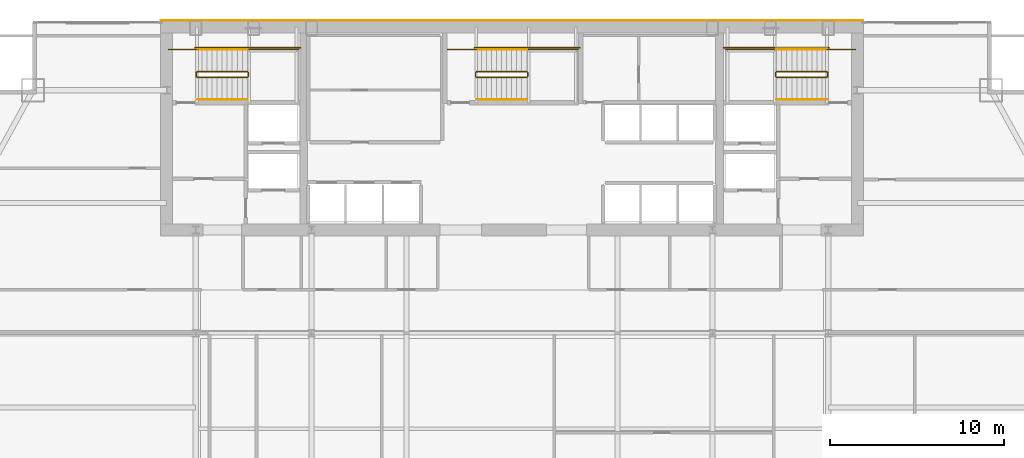
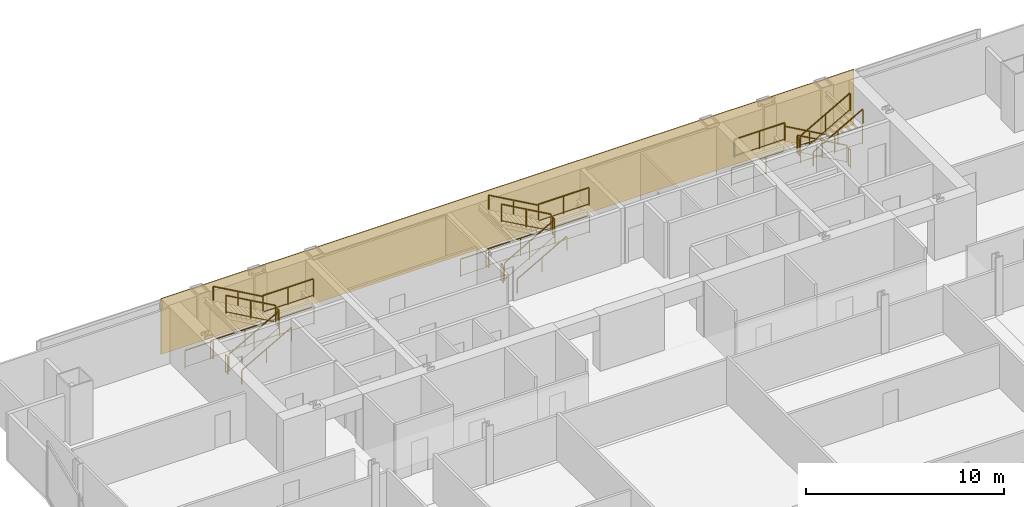
# One storey, part 29 of 29: 27 railings, 1 covering.
"""IFC4 building model written with IfcOpenShell, lengths in metres."""

from ifc_helpers import new_model, si_unit, direction, frame, origin, origin_2d, place, context, subcontext, project, spatial, polyline, rectangle, outline, extrude, material, layer, layer_set, type_object, element, save


model = new_model("IFC4")

# Units and contexts
model_context = context("Model", 3, precision=1e-05, world=origin(), true_north=direction((0.0, 1.0)))
body_context = subcontext(model_context, "Body", "Model", "MODEL_VIEW")
ifc_project = project(units=[si_unit("LENGTHUNIT", "METRE"), si_unit("AREAUNIT", "SQUARE_METRE"), si_unit("VOLUMEUNIT", "CUBIC_METRE"), si_unit("PLANEANGLEUNIT", "RADIAN"), si_unit("MASSUNIT", "GRAM", prefix="KILO")], contexts=[model_context])

# Site, building, storey
site_placement = place(None, origin())
site = spatial("IfcSite", under=ifc_project, at=site_placement, CompositionType="ELEMENT")
building_placement = place(site_placement, origin())
building = spatial("IfcBuilding", under=site, at=building_placement, Name="Khoronbel Lancet Exchange", CompositionType="ELEMENT")
storey_placement = place(building_placement, frame((0.0, 0.0, 154.199951171875)))
storey = spatial("IfcBuildingStorey", under=building, at=storey_placement, Name="L38", CompositionType="ELEMENT", Elevation=154.199951171875)

# Covering
ifc_material_1 = material(Name="Honed Egyptian Limestone & Bronze Rainscreen", Category="masonry")
ifc_layer = layer(ifc_material_1, 0.050048828125, Name="Honed Egyptian Limestone & Bronze Rainscreen")
ifc_layer_set = layer_set([ifc_layer], Name="Honed Egyptian Limestone & Bronze Rainscreen")
covering_type = type_object("IfcCoveringType", Name="COV-CLAD1", PredefinedType="CLADDING", material=ifc_layer_set)
covering_placement = place(storey_placement, origin())
element("IfcCovering", 1, at=covering_placement, inside=storey, type_object=covering_type, Name="Level L38 north rear-core stone and bronze rainscreen cladding", PredefinedType="CLADDING", context=body_context, shape_type="SweptSolid", body=[
    extrude(outline(polyline([(16.199951171875, 53.699951171875), (56.699951171875, 53.699951171875), (56.699951171875, 53.75), (16.199951171875, 53.75), (16.199951171875, 53.699951171875)])), origin(), (0.0, 0.0, 1.0), 3.43994140625),
])

# Railings
ifc_material_2 = material(Name="Painted Steel Balustrade", Category="steel")
railing_type_1 = type_object("IfcRailingType", Name="RL-STG110", PredefinedType="GUARDRAIL", material=ifc_material_2)
railing_1_placement = place(storey_placement, frame((18.300048828125, 50.449951171875, 0.16357421875)))
element("IfcRailing", 2, at=railing_1_placement, inside=storey, type_object=railing_type_1, Name="L38 ST1 stair guard 1", PredefinedType="GUARDRAIL", context=body_context, shape_type="SweptSolid", body=[
    extrude(rectangle(XDim=0.048095703125, YDim=0.048095703125, at=origin_2d()), frame((0.0, 0.0, 1.09619140625), z_axis=(0.870897200241, 0.0, 0.491465224214), x_axis=(0.0, 1.0, 0.0)), (0.0, 0.0, 1.0), 3.329833984375),
    extrude(rectangle(XDim=0.02392578125, YDim=0.02392578125, at=origin_2d()), frame((0.0, 0.0, 0.080078125), z_axis=(0.870897200241, 0.0, 0.491465224214), x_axis=(0.0, 1.0, 0.0)), (0.0, 0.0, 1.0), 3.329833984375),
    extrude(rectangle(XDim=0.0419921875, YDim=0.0419921875, at=origin_2d()), origin(), (0.0, 0.0, 1.0), 1.072021484375),
    extrude(rectangle(XDim=0.0419921875, YDim=0.0419921875, at=origin_2d()), frame((1.449951171875, 0.0, 0.818359375)), (0.0, 0.0, 1.0), 1.072021484375),
    extrude(rectangle(XDim=0.0419921875, YDim=0.0419921875, at=origin_2d()), frame((2.89990234375, 0.0, 1.636474609375)), (0.0, 0.0, 1.0), 1.072021484375),
])
railing_2_placement = place(storey_placement, frame((21.25, 50.5, 1.800048828125)))
element("IfcRailing", 3, at=railing_2_placement, inside=storey, type_object=railing_type_1, Name="L38 ST1 stair guard 2", PredefinedType="GUARDRAIL", context=body_context, shape_type="SweptSolid", body=[
    extrude(rectangle(XDim=0.048095703125, YDim=0.048095703125, at=origin_2d()), frame((0.0, 0.0, 1.09619140625), z_axis=(0.0, 1.0, 0.0), x_axis=(-1.0, 0.0, 0.0)), (0.0, 0.0, 1.0), 0.219970703125),
    extrude(rectangle(XDim=0.02392578125, YDim=0.02392578125, at=origin_2d()), frame((0.0, 0.0, 0.080078125), z_axis=(0.0, 1.0, 0.0), x_axis=(-1.0, 0.0, 0.0)), (0.0, 0.0, 1.0), 0.219970703125),
    extrude(rectangle(XDim=0.0419921875, YDim=0.0419921875, at=origin_2d()), origin(), (0.0, 0.0, 1.0), 1.072021484375),
    extrude(rectangle(XDim=0.0419921875, YDim=0.0419921875, at=origin_2d()), frame((0.0, 0.219970703125, 0.0)), (0.0, 0.0, 1.0), 1.072021484375),
])
railing_3_placement = place(storey_placement, frame((21.199951171875, 52.050048828125, 1.800048828125)))
element("IfcRailing", 4, at=railing_3_placement, inside=storey, type_object=railing_type_1, Name="L38 ST1 stair guard 3", PredefinedType="GUARDRAIL", context=body_context, shape_type="SweptSolid", body=[
    extrude(rectangle(XDim=0.048095703125, YDim=0.048095703125, at=origin_2d()), frame((0.0, 0.0, 1.09619140625), z_axis=(1.0, 0.0, 0.0), x_axis=(0.0, 1.0, 0.0)), (0.0, 0.0, 1.0), 2.949951171875),
    extrude(rectangle(XDim=0.02392578125, YDim=0.02392578125, at=origin_2d()), frame((0.0, 0.0, 0.080078125), z_axis=(1.0, 0.0, 0.0), x_axis=(0.0, 1.0, 0.0)), (0.0, 0.0, 1.0), 2.949951171875),
    extrude(rectangle(XDim=0.0419921875, YDim=0.0419921875, at=origin_2d()), origin(), (0.0, 0.0, 1.0), 1.072021484375),
    extrude(rectangle(XDim=0.0419921875, YDim=0.0419921875, at=origin_2d()), frame((1.47509765625, 0.0, 0.0)), (0.0, 0.0, 1.0), 1.072021484375),
    extrude(rectangle(XDim=0.0419921875, YDim=0.0419921875, at=origin_2d()), frame((2.949951171875, 0.0, 0.0)), (0.0, 0.0, 1.0), 1.072021484375),
])
railing_4_placement = place(storey_placement, frame((21.199951171875, 50.77001953125, 1.963623046875)))
element("IfcRailing", 5, at=railing_4_placement, inside=storey, type_object=railing_type_1, Name="L38 ST1 stair guard 4", PredefinedType="GUARDRAIL", context=body_context, shape_type="SweptSolid", body=[
    extrude(rectangle(XDim=0.048095703125, YDim=0.048095703125, at=origin_2d()), frame((0.0, 0.0, 1.09619140625), z_axis=(-0.870897200241, 0.0, 0.491465224214), x_axis=(0.0, -1.0, 0.0)), (0.0, 0.0, 1.0), 3.329833984375),
    extrude(rectangle(XDim=0.02392578125, YDim=0.02392578125, at=origin_2d()), frame((0.0, 0.0, 0.080078125), z_axis=(-0.870897200241, 0.0, 0.491465224214), x_axis=(0.0, -1.0, 0.0)), (0.0, 0.0, 1.0), 3.329833984375),
    extrude(rectangle(XDim=0.0419921875, YDim=0.0419921875, at=origin_2d()), origin(), (0.0, 0.0, 1.0), 1.072021484375),
    extrude(rectangle(XDim=0.0419921875, YDim=0.0419921875, at=origin_2d()), frame((-1.449951171875, 0.0, 0.818359375)), (0.0, 0.0, 1.0), 1.072021484375),
    extrude(rectangle(XDim=0.0419921875, YDim=0.0419921875, at=origin_2d()), frame((-2.89990234375, 0.0, 1.636474609375)), (0.0, 0.0, 1.0), 1.072021484375),
])
railing_5_placement = place(storey_placement, frame((18.25, 50.5, 0.0)))
element("IfcRailing", 6, at=railing_5_placement, inside=storey, type_object=railing_type_1, Name="L38 ST1 stair guard 5", PredefinedType="GUARDRAIL", context=body_context, shape_type="SweptSolid", body=[
    extrude(rectangle(XDim=0.048095703125, YDim=0.048095703125, at=origin_2d()), frame((0.0, 0.0, 1.09619140625), z_axis=(0.0, 1.0, 0.0), x_axis=(-1.0, 0.0, 0.0)), (0.0, 0.0, 1.0), 0.219970703125),
    extrude(rectangle(XDim=0.02392578125, YDim=0.02392578125, at=origin_2d()), frame((0.0, 0.0, 0.080078125), z_axis=(0.0, 1.0, 0.0), x_axis=(-1.0, 0.0, 0.0)), (0.0, 0.0, 1.0), 0.219970703125),
    extrude(rectangle(XDim=0.0419921875, YDim=0.0419921875, at=origin_2d()), origin(), (0.0, 0.0, 1.0), 1.072021484375),
    extrude(rectangle(XDim=0.0419921875, YDim=0.0419921875, at=origin_2d()), frame((0.0, 0.219970703125, 0.0)), (0.0, 0.0, 1.0), 1.072021484375),
])
railing_6_placement = place(storey_placement, frame((16.64990234375, 52.050048828125, 0.0)))
element("IfcRailing", 7, at=railing_6_placement, inside=storey, type_object=railing_type_1, Name="L38 ST1 stair guard 6", PredefinedType="GUARDRAIL", context=body_context, shape_type="SweptSolid", body=[
    extrude(rectangle(XDim=0.048095703125, YDim=0.048095703125, at=origin_2d()), frame((0.0, 0.0, 1.09619140625), z_axis=(1.0, 0.0, 0.0), x_axis=(0.0, 1.0, 0.0)), (0.0, 0.0, 1.0), 1.650146484375),
    extrude(rectangle(XDim=0.02392578125, YDim=0.02392578125, at=origin_2d()), frame((0.0, 0.0, 0.080078125), z_axis=(1.0, 0.0, 0.0), x_axis=(0.0, 1.0, 0.0)), (0.0, 0.0, 1.0), 1.650146484375),
    extrude(rectangle(XDim=0.0419921875, YDim=0.0419921875, at=origin_2d()), origin(), (0.0, 0.0, 1.0), 1.072021484375),
    extrude(rectangle(XDim=0.0419921875, YDim=0.0419921875, at=origin_2d()), frame((1.650146484375, 0.0, 0.0)), (0.0, 0.0, 1.0), 1.072021484375),
])
railing_7_placement = place(storey_placement, frame((18.199951171875, 52.14990234375, 0.0)))
element("IfcRailing", 8, at=railing_7_placement, inside=storey, type_object=railing_type_1, Name="L38 ST1 stair guard 7", PredefinedType="GUARDRAIL", context=body_context, shape_type="SweptSolid", body=[
    extrude(rectangle(XDim=0.048095703125, YDim=0.048095703125, at=origin_2d()), frame((0.0, 0.0, 1.09619140625), z_axis=(1.0, 0.0, 0.0), x_axis=(0.0, 1.0, 0.0)), (0.0, 0.0, 1.0), 6.050048828125),
    extrude(rectangle(XDim=0.02392578125, YDim=0.02392578125, at=origin_2d()), frame((0.0, 0.0, 0.080078125), z_axis=(1.0, 0.0, 0.0), x_axis=(0.0, 1.0, 0.0)), (0.0, 0.0, 1.0), 6.050048828125),
    extrude(rectangle(XDim=0.0419921875, YDim=0.0419921875, at=origin_2d()), origin(), (0.0, 0.0, 1.0), 1.072021484375),
    extrude(rectangle(XDim=0.0419921875, YDim=0.0419921875, at=origin_2d()), frame((2.0166015625, 0.0, 0.0)), (0.0, 0.0, 1.0), 1.072021484375),
    extrude(rectangle(XDim=0.0419921875, YDim=0.0419921875, at=origin_2d()), frame((4.033447265625, 0.0, 0.0)), (0.0, 0.0, 1.0), 1.072021484375),
    extrude(rectangle(XDim=0.0419921875, YDim=0.0419921875, at=origin_2d()), frame((6.050048828125, 0.0, 0.0)), (0.0, 0.0, 1.0), 1.072021484375),
])
railing_8_placement = place(storey_placement, frame((54.60009765625, 50.77001953125, 0.16357421875)))
element("IfcRailing", 9, at=railing_8_placement, inside=storey, type_object=railing_type_1, Name="L38 ST2 stair guard 1", PredefinedType="GUARDRAIL", context=body_context, shape_type="SweptSolid", body=[
    extrude(rectangle(XDim=0.048095703125, YDim=0.048095703125, at=origin_2d()), frame((0.0, 0.0, 1.09619140625), z_axis=(-0.870914908162, 0.0, 0.491433843708), x_axis=(0.0, -1.0, 0.0)), (0.0, 0.0, 1.0), 3.330078125),
    extrude(rectangle(XDim=0.02392578125, YDim=0.02392578125, at=origin_2d()), frame((0.0, 0.0, 0.080078125), z_axis=(-0.870914908162, 0.0, 0.491433843708), x_axis=(0.0, -1.0, 0.0)), (0.0, 0.0, 1.0), 3.330078125),
    extrude(rectangle(XDim=0.0419921875, YDim=0.0419921875, at=origin_2d()), origin(), (0.0, 0.0, 1.0), 1.072021484375),
    extrude(rectangle(XDim=0.0419921875, YDim=0.0419921875, at=origin_2d()), frame((-1.4501953125, 0.0, 0.818359375)), (0.0, 0.0, 1.0), 1.072021484375),
    extrude(rectangle(XDim=0.0419921875, YDim=0.0419921875, at=origin_2d()), frame((-2.900146484375, 0.0, 1.636474609375)), (0.0, 0.0, 1.0), 1.072021484375),
])
railing_9_placement = place(storey_placement, frame((51.64990234375, 50.719970703125, 1.800048828125)))
element("IfcRailing", 10, at=railing_9_placement, inside=storey, type_object=railing_type_1, Name="L38 ST2 stair guard 2", PredefinedType="GUARDRAIL", context=body_context, shape_type="SweptSolid", body=[
    extrude(rectangle(XDim=0.048095703125, YDim=0.048095703125, at=origin_2d()), frame((0.0, 0.0, 1.09619140625), z_axis=(0.0, -1.0, 0.0), x_axis=(1.0, 0.0, 0.0)), (0.0, 0.0, 1.0), 0.219970703125),
    extrude(rectangle(XDim=0.02392578125, YDim=0.02392578125, at=origin_2d()), frame((0.0, 0.0, 0.080078125), z_axis=(0.0, -1.0, 0.0), x_axis=(1.0, 0.0, 0.0)), (0.0, 0.0, 1.0), 0.219970703125),
    extrude(rectangle(XDim=0.0419921875, YDim=0.0419921875, at=origin_2d()), origin(), (0.0, 0.0, 1.0), 1.072021484375),
    extrude(rectangle(XDim=0.0419921875, YDim=0.0419921875, at=origin_2d()), frame((0.0, -0.219970703125, 0.0)), (0.0, 0.0, 1.0), 1.072021484375),
])
railing_10_placement = place(storey_placement, frame((51.699951171875, 52.050048828125, 1.800048828125)))
element("IfcRailing", 11, at=railing_10_placement, inside=storey, type_object=railing_type_1, Name="L38 ST2 stair guard 3", PredefinedType="GUARDRAIL", context=body_context, shape_type="SweptSolid", body=[
    extrude(rectangle(XDim=0.048095703125, YDim=0.048095703125, at=origin_2d()), frame((0.0, 0.0, 1.09619140625), z_axis=(-1.0, 0.0, 0.0), x_axis=(0.0, -1.0, 0.0)), (0.0, 0.0, 1.0), 2.949951171875),
    extrude(rectangle(XDim=0.02392578125, YDim=0.02392578125, at=origin_2d()), frame((0.0, 0.0, 0.080078125), z_axis=(-1.0, 0.0, 0.0), x_axis=(0.0, -1.0, 0.0)), (0.0, 0.0, 1.0), 2.949951171875),
    extrude(rectangle(XDim=0.0419921875, YDim=0.0419921875, at=origin_2d()), origin(), (0.0, 0.0, 1.0), 1.072021484375),
    extrude(rectangle(XDim=0.0419921875, YDim=0.0419921875, at=origin_2d()), frame((-1.47509765625, 0.0, 0.0)), (0.0, 0.0, 1.0), 1.072021484375),
    extrude(rectangle(XDim=0.0419921875, YDim=0.0419921875, at=origin_2d()), frame((-2.949951171875, 0.0, 0.0)), (0.0, 0.0, 1.0), 1.072021484375),
])
railing_11_placement = place(storey_placement, frame((51.699951171875, 50.449951171875, 1.963623046875)))
element("IfcRailing", 12, at=railing_11_placement, inside=storey, type_object=railing_type_1, Name="L38 ST2 stair guard 4", PredefinedType="GUARDRAIL", context=body_context, shape_type="SweptSolid", body=[
    extrude(rectangle(XDim=0.048095703125, YDim=0.048095703125, at=origin_2d()), frame((0.0, 0.0, 1.09619140625), z_axis=(0.870914908162, 0.0, 0.491433843708), x_axis=(0.0, 1.0, 0.0)), (0.0, 0.0, 1.0), 3.330078125),
    extrude(rectangle(XDim=0.02392578125, YDim=0.02392578125, at=origin_2d()), frame((0.0, 0.0, 0.080078125), z_axis=(0.870914908162, 0.0, 0.491433843708), x_axis=(0.0, 1.0, 0.0)), (0.0, 0.0, 1.0), 3.330078125),
    extrude(rectangle(XDim=0.0419921875, YDim=0.0419921875, at=origin_2d()), origin(), (0.0, 0.0, 1.0), 1.072021484375),
    extrude(rectangle(XDim=0.0419921875, YDim=0.0419921875, at=origin_2d()), frame((1.4501953125, 0.0, 0.818359375)), (0.0, 0.0, 1.0), 1.072021484375),
    extrude(rectangle(XDim=0.0419921875, YDim=0.0419921875, at=origin_2d()), frame((2.900146484375, 0.0, 1.636474609375)), (0.0, 0.0, 1.0), 1.072021484375),
])
railing_12_placement = place(storey_placement, frame((54.64990234375, 50.719970703125, 0.0)))
element("IfcRailing", 13, at=railing_12_placement, inside=storey, type_object=railing_type_1, Name="L38 ST2 stair guard 5", PredefinedType="GUARDRAIL", context=body_context, shape_type="SweptSolid", body=[
    extrude(rectangle(XDim=0.048095703125, YDim=0.048095703125, at=origin_2d()), frame((0.0, 0.0, 1.09619140625), z_axis=(0.0, -1.0, 0.0), x_axis=(1.0, 0.0, 0.0)), (0.0, 0.0, 1.0), 0.219970703125),
    extrude(rectangle(XDim=0.02392578125, YDim=0.02392578125, at=origin_2d()), frame((0.0, 0.0, 0.080078125), z_axis=(0.0, -1.0, 0.0), x_axis=(1.0, 0.0, 0.0)), (0.0, 0.0, 1.0), 0.219970703125),
    extrude(rectangle(XDim=0.0419921875, YDim=0.0419921875, at=origin_2d()), origin(), (0.0, 0.0, 1.0), 1.072021484375),
    extrude(rectangle(XDim=0.0419921875, YDim=0.0419921875, at=origin_2d()), frame((0.0, -0.219970703125, 0.0)), (0.0, 0.0, 1.0), 1.072021484375),
])
railing_13_placement = place(storey_placement, frame((56.25, 52.050048828125, 0.0)))
element("IfcRailing", 14, at=railing_13_placement, inside=storey, type_object=railing_type_1, Name="L38 ST2 stair guard 6", PredefinedType="GUARDRAIL", context=body_context, shape_type="SweptSolid", body=[
    extrude(rectangle(XDim=0.048095703125, YDim=0.048095703125, at=origin_2d()), frame((0.0, 0.0, 1.09619140625), z_axis=(-1.0, 0.0, 0.0), x_axis=(0.0, -1.0, 0.0)), (0.0, 0.0, 1.0), 1.64990234375),
    extrude(rectangle(XDim=0.02392578125, YDim=0.02392578125, at=origin_2d()), frame((0.0, 0.0, 0.080078125), z_axis=(-1.0, 0.0, 0.0), x_axis=(0.0, -1.0, 0.0)), (0.0, 0.0, 1.0), 1.64990234375),
    extrude(rectangle(XDim=0.0419921875, YDim=0.0419921875, at=origin_2d()), origin(), (0.0, 0.0, 1.0), 1.072021484375),
    extrude(rectangle(XDim=0.0419921875, YDim=0.0419921875, at=origin_2d()), frame((-1.64990234375, 0.0, 0.0)), (0.0, 0.0, 1.0), 1.072021484375),
])
railing_14_placement = place(storey_placement, frame((54.699951171875, 52.14990234375, 0.0)))
element("IfcRailing", 15, at=railing_14_placement, inside=storey, type_object=railing_type_1, Name="L38 ST2 stair guard 7", PredefinedType="GUARDRAIL", context=body_context, shape_type="SweptSolid", body=[
    extrude(rectangle(XDim=0.048095703125, YDim=0.048095703125, at=origin_2d()), frame((0.0, 0.0, 1.09619140625), z_axis=(-1.0, 0.0, 0.0), x_axis=(0.0, -1.0, 0.0)), (0.0, 0.0, 1.0), 6.050048828125),
    extrude(rectangle(XDim=0.02392578125, YDim=0.02392578125, at=origin_2d()), frame((0.0, 0.0, 0.080078125), z_axis=(-1.0, 0.0, 0.0), x_axis=(0.0, -1.0, 0.0)), (0.0, 0.0, 1.0), 6.050048828125),
    extrude(rectangle(XDim=0.0419921875, YDim=0.0419921875, at=origin_2d()), origin(), (0.0, 0.0, 1.0), 1.072021484375),
    extrude(rectangle(XDim=0.0419921875, YDim=0.0419921875, at=origin_2d()), frame((-2.0166015625, 0.0, 0.0)), (0.0, 0.0, 1.0), 1.072021484375),
    extrude(rectangle(XDim=0.0419921875, YDim=0.0419921875, at=origin_2d()), frame((-4.033447265625, 0.0, 0.0)), (0.0, 0.0, 1.0), 1.072021484375),
    extrude(rectangle(XDim=0.0419921875, YDim=0.0419921875, at=origin_2d()), frame((-6.050048828125, 0.0, 0.0)), (0.0, 0.0, 1.0), 1.072021484375),
])
railing_15_placement = place(storey_placement, frame((34.39990234375, 50.449951171875, 0.16357421875)))
element("IfcRailing", 16, at=railing_15_placement, inside=storey, type_object=railing_type_1, Name="L38 ST3 stair guard 1", PredefinedType="GUARDRAIL", context=body_context, shape_type="SweptSolid", body=[
    extrude(rectangle(XDim=0.048095703125, YDim=0.048095703125, at=origin_2d()), frame((0.0, 0.0, 1.09619140625), z_axis=(0.870914908162, 0.0, 0.491433843708), x_axis=(0.0, 1.0, 0.0)), (0.0, 0.0, 1.0), 3.330078125),
    extrude(rectangle(XDim=0.02392578125, YDim=0.02392578125, at=origin_2d()), frame((0.0, 0.0, 0.080078125), z_axis=(0.870914908162, 0.0, 0.491433843708), x_axis=(0.0, 1.0, 0.0)), (0.0, 0.0, 1.0), 3.330078125),
    extrude(rectangle(XDim=0.0419921875, YDim=0.0419921875, at=origin_2d()), origin(), (0.0, 0.0, 1.0), 1.072021484375),
    extrude(rectangle(XDim=0.0419921875, YDim=0.0419921875, at=origin_2d()), frame((1.4501953125, 0.0, 0.818359375)), (0.0, 0.0, 1.0), 1.072021484375),
    extrude(rectangle(XDim=0.0419921875, YDim=0.0419921875, at=origin_2d()), frame((2.900146484375, 0.0, 1.636474609375)), (0.0, 0.0, 1.0), 1.072021484375),
])
railing_16_placement = place(storey_placement, frame((37.35009765625, 50.5, 1.800048828125)))
element("IfcRailing", 17, at=railing_16_placement, inside=storey, type_object=railing_type_1, Name="L38 ST3 stair guard 2", PredefinedType="GUARDRAIL", context=body_context, shape_type="SweptSolid", body=[
    extrude(rectangle(XDim=0.048095703125, YDim=0.048095703125, at=origin_2d()), frame((0.0, 0.0, 1.09619140625), z_axis=(0.0, 1.0, 0.0), x_axis=(-1.0, 0.0, 0.0)), (0.0, 0.0, 1.0), 0.219970703125),
    extrude(rectangle(XDim=0.02392578125, YDim=0.02392578125, at=origin_2d()), frame((0.0, 0.0, 0.080078125), z_axis=(0.0, 1.0, 0.0), x_axis=(-1.0, 0.0, 0.0)), (0.0, 0.0, 1.0), 0.219970703125),
    extrude(rectangle(XDim=0.0419921875, YDim=0.0419921875, at=origin_2d()), origin(), (0.0, 0.0, 1.0), 1.072021484375),
    extrude(rectangle(XDim=0.0419921875, YDim=0.0419921875, at=origin_2d()), frame((0.0, 0.219970703125, 0.0)), (0.0, 0.0, 1.0), 1.072021484375),
])
railing_17_placement = place(storey_placement, frame((37.300048828125, 52.050048828125, 1.800048828125)))
element("IfcRailing", 18, at=railing_17_placement, inside=storey, type_object=railing_type_1, Name="L38 ST3 stair guard 3", PredefinedType="GUARDRAIL", context=body_context, shape_type="SweptSolid", body=[
    extrude(rectangle(XDim=0.048095703125, YDim=0.048095703125, at=origin_2d()), frame((0.0, 0.0, 1.09619140625), z_axis=(1.0, 0.0, 0.0), x_axis=(0.0, 1.0, 0.0)), (0.0, 0.0, 1.0), 2.949951171875),
    extrude(rectangle(XDim=0.02392578125, YDim=0.02392578125, at=origin_2d()), frame((0.0, 0.0, 0.080078125), z_axis=(1.0, 0.0, 0.0), x_axis=(0.0, 1.0, 0.0)), (0.0, 0.0, 1.0), 2.949951171875),
    extrude(rectangle(XDim=0.0419921875, YDim=0.0419921875, at=origin_2d()), origin(), (0.0, 0.0, 1.0), 1.072021484375),
    extrude(rectangle(XDim=0.0419921875, YDim=0.0419921875, at=origin_2d()), frame((1.47509765625, 0.0, 0.0)), (0.0, 0.0, 1.0), 1.072021484375),
    extrude(rectangle(XDim=0.0419921875, YDim=0.0419921875, at=origin_2d()), frame((2.949951171875, 0.0, 0.0)), (0.0, 0.0, 1.0), 1.072021484375),
])
railing_18_placement = place(storey_placement, frame((37.300048828125, 50.77001953125, 1.963623046875)))
element("IfcRailing", 19, at=railing_18_placement, inside=storey, type_object=railing_type_1, Name="L38 ST3 stair guard 4", PredefinedType="GUARDRAIL", context=body_context, shape_type="SweptSolid", body=[
    extrude(rectangle(XDim=0.048095703125, YDim=0.048095703125, at=origin_2d()), frame((0.0, 0.0, 1.09619140625), z_axis=(-0.870914908162, 0.0, 0.491433843708), x_axis=(0.0, -1.0, 0.0)), (0.0, 0.0, 1.0), 3.330078125),
    extrude(rectangle(XDim=0.02392578125, YDim=0.02392578125, at=origin_2d()), frame((0.0, 0.0, 0.080078125), z_axis=(-0.870914908162, 0.0, 0.491433843708), x_axis=(0.0, -1.0, 0.0)), (0.0, 0.0, 1.0), 3.330078125),
    extrude(rectangle(XDim=0.0419921875, YDim=0.0419921875, at=origin_2d()), origin(), (0.0, 0.0, 1.0), 1.072021484375),
    extrude(rectangle(XDim=0.0419921875, YDim=0.0419921875, at=origin_2d()), frame((-1.4501953125, 0.0, 0.818359375)), (0.0, 0.0, 1.0), 1.072021484375),
    extrude(rectangle(XDim=0.0419921875, YDim=0.0419921875, at=origin_2d()), frame((-2.900146484375, 0.0, 1.636474609375)), (0.0, 0.0, 1.0), 1.072021484375),
])
railing_19_placement = place(storey_placement, frame((34.35009765625, 50.5, 0.0)))
element("IfcRailing", 20, at=railing_19_placement, inside=storey, type_object=railing_type_1, Name="L38 ST3 stair guard 5", PredefinedType="GUARDRAIL", context=body_context, shape_type="SweptSolid", body=[
    extrude(rectangle(XDim=0.048095703125, YDim=0.048095703125, at=origin_2d()), frame((0.0, 0.0, 1.09619140625), z_axis=(0.0, 1.0, 0.0), x_axis=(-1.0, 0.0, 0.0)), (0.0, 0.0, 1.0), 0.219970703125),
    extrude(rectangle(XDim=0.02392578125, YDim=0.02392578125, at=origin_2d()), frame((0.0, 0.0, 0.080078125), z_axis=(0.0, 1.0, 0.0), x_axis=(-1.0, 0.0, 0.0)), (0.0, 0.0, 1.0), 0.219970703125),
    extrude(rectangle(XDim=0.0419921875, YDim=0.0419921875, at=origin_2d()), origin(), (0.0, 0.0, 1.0), 1.072021484375),
    extrude(rectangle(XDim=0.0419921875, YDim=0.0419921875, at=origin_2d()), frame((0.0, 0.219970703125, 0.0)), (0.0, 0.0, 1.0), 1.072021484375),
])
railing_20_placement = place(storey_placement, frame((32.75, 52.050048828125, 0.0)))
element("IfcRailing", 21, at=railing_20_placement, inside=storey, type_object=railing_type_1, Name="L38 ST3 stair guard 6", PredefinedType="GUARDRAIL", context=body_context, shape_type="SweptSolid", body=[
    extrude(rectangle(XDim=0.048095703125, YDim=0.048095703125, at=origin_2d()), frame((0.0, 0.0, 1.09619140625), z_axis=(1.0, 0.0, 0.0), x_axis=(0.0, 1.0, 0.0)), (0.0, 0.0, 1.0), 1.64990234375),
    extrude(rectangle(XDim=0.02392578125, YDim=0.02392578125, at=origin_2d()), frame((0.0, 0.0, 0.080078125), z_axis=(1.0, 0.0, 0.0), x_axis=(0.0, 1.0, 0.0)), (0.0, 0.0, 1.0), 1.64990234375),
    extrude(rectangle(XDim=0.0419921875, YDim=0.0419921875, at=origin_2d()), origin(), (0.0, 0.0, 1.0), 1.072021484375),
    extrude(rectangle(XDim=0.0419921875, YDim=0.0419921875, at=origin_2d()), frame((1.64990234375, 0.0, 0.0)), (0.0, 0.0, 1.0), 1.072021484375),
])
railing_21_placement = place(storey_placement, frame((34.300048828125, 52.14990234375, 0.0)))
element("IfcRailing", 22, at=railing_21_placement, inside=storey, type_object=railing_type_1, Name="L38 ST3 stair guard 7", PredefinedType="GUARDRAIL", context=body_context, shape_type="SweptSolid", body=[
    extrude(rectangle(XDim=0.048095703125, YDim=0.048095703125, at=origin_2d()), frame((0.0, 0.0, 1.09619140625), z_axis=(1.0, 0.0, 0.0), x_axis=(0.0, 1.0, 0.0)), (0.0, 0.0, 1.0), 6.050048828125),
    extrude(rectangle(XDim=0.02392578125, YDim=0.02392578125, at=origin_2d()), frame((0.0, 0.0, 0.080078125), z_axis=(1.0, 0.0, 0.0), x_axis=(0.0, 1.0, 0.0)), (0.0, 0.0, 1.0), 6.050048828125),
    extrude(rectangle(XDim=0.0419921875, YDim=0.0419921875, at=origin_2d()), origin(), (0.0, 0.0, 1.0), 1.072021484375),
    extrude(rectangle(XDim=0.0419921875, YDim=0.0419921875, at=origin_2d()), frame((2.0166015625, 0.0, 0.0)), (0.0, 0.0, 1.0), 1.072021484375),
    extrude(rectangle(XDim=0.0419921875, YDim=0.0419921875, at=origin_2d()), frame((4.033447265625, 0.0, 0.0)), (0.0, 0.0, 1.0), 1.072021484375),
    extrude(rectangle(XDim=0.0419921875, YDim=0.0419921875, at=origin_2d()), frame((6.050048828125, 0.0, 0.0)), (0.0, 0.0, 1.0), 1.072021484375),
])
ifc_material_3 = material(Name="Brushed Stainless Steel 316", Category="steel")
railing_type_2 = type_object("IfcRailingType", Name="RL-STH92", PredefinedType="HANDRAIL", material=ifc_material_3)
railing_22_placement = place(storey_placement, frame((18.300048828125, 49.169921875, 0.16357421875)))
element("IfcRailing", 23, at=railing_22_placement, inside=storey, type_object=railing_type_2, Name="L38 ST1 stair handrail 1", PredefinedType="HANDRAIL", context=body_context, shape_type="SweptSolid", body=[
    extrude(rectangle(XDim=0.048095703125, YDim=0.048095703125, at=origin_2d()), frame((0.0, 0.0, 0.8759765625), z_axis=(0.870897200241, 0.0, 0.491465224214), x_axis=(0.0, 1.0, 0.0)), (0.0, 0.0, 1.0), 3.329833984375),
    extrude(rectangle(XDim=0.0419921875, YDim=0.0419921875, at=origin_2d()), origin(), (0.0, 0.0, 1.0), 0.851806640625),
    extrude(rectangle(XDim=0.0419921875, YDim=0.0419921875, at=origin_2d()), frame((1.449951171875, 0.0, 0.818359375)), (0.0, 0.0, 1.0), 0.851806640625),
    extrude(rectangle(XDim=0.0419921875, YDim=0.0419921875, at=origin_2d()), frame((2.89990234375, 0.0, 1.636474609375)), (0.0, 0.0, 1.0), 0.851806640625),
])
railing_23_placement = place(storey_placement, frame((21.199951171875, 52.050048828125, 1.963623046875)))
element("IfcRailing", 24, at=railing_23_placement, inside=storey, type_object=railing_type_2, Name="L38 ST1 stair handrail 2", PredefinedType="HANDRAIL", context=body_context, shape_type="SweptSolid", body=[
    extrude(rectangle(XDim=0.048095703125, YDim=0.048095703125, at=origin_2d()), frame((0.0, 0.0, 0.8759765625), z_axis=(-0.870897200241, 0.0, 0.491465224214), x_axis=(0.0, -1.0, 0.0)), (0.0, 0.0, 1.0), 3.329833984375),
    extrude(rectangle(XDim=0.0419921875, YDim=0.0419921875, at=origin_2d()), origin(), (0.0, 0.0, 1.0), 0.851806640625),
    extrude(rectangle(XDim=0.0419921875, YDim=0.0419921875, at=origin_2d()), frame((-1.449951171875, 0.0, 0.818359375)), (0.0, 0.0, 1.0), 0.851806640625),
    extrude(rectangle(XDim=0.0419921875, YDim=0.0419921875, at=origin_2d()), frame((-2.89990234375, 0.0, 1.636474609375)), (0.0, 0.0, 1.0), 0.851806640625),
])
railing_24_placement = place(storey_placement, frame((54.60009765625, 52.050048828125, 0.16357421875)))
element("IfcRailing", 25, at=railing_24_placement, inside=storey, type_object=railing_type_2, Name="L38 ST2 stair handrail 1", PredefinedType="HANDRAIL", context=body_context, shape_type="SweptSolid", body=[
    extrude(rectangle(XDim=0.048095703125, YDim=0.048095703125, at=origin_2d()), frame((0.0, 0.0, 0.8759765625), z_axis=(-0.870914908162, 0.0, 0.491433843708), x_axis=(0.0, -1.0, 0.0)), (0.0, 0.0, 1.0), 3.330078125),
    extrude(rectangle(XDim=0.0419921875, YDim=0.0419921875, at=origin_2d()), origin(), (0.0, 0.0, 1.0), 0.851806640625),
    extrude(rectangle(XDim=0.0419921875, YDim=0.0419921875, at=origin_2d()), frame((-1.4501953125, 0.0, 0.818359375)), (0.0, 0.0, 1.0), 0.851806640625),
    extrude(rectangle(XDim=0.0419921875, YDim=0.0419921875, at=origin_2d()), frame((-2.900146484375, 0.0, 1.636474609375)), (0.0, 0.0, 1.0), 0.851806640625),
])
for number, where, name in (
    (26, (51.699951171875, 49.169921875, 1.963623046875), "L38 ST2 stair handrail 2"),
    (27, (34.39990234375, 49.169921875, 0.16357421875), "L38 ST3 stair handrail 1"),
):
    element("IfcRailing", number, at=place(storey_placement, frame(where)), inside=storey, type_object=railing_type_2, Name=name, PredefinedType="HANDRAIL", context=body_context, shape_type="SweptSolid", body=[
        extrude(rectangle(XDim=0.048095703125, YDim=0.048095703125, at=origin_2d()), frame((0.0, 0.0, 0.8759765625), z_axis=(0.870914908162, 0.0, 0.491433843708), x_axis=(0.0, 1.0, 0.0)), (0.0, 0.0, 1.0), 3.330078125),
        extrude(rectangle(XDim=0.0419921875, YDim=0.0419921875, at=origin_2d()), origin(), (0.0, 0.0, 1.0), 0.851806640625),
        extrude(rectangle(XDim=0.0419921875, YDim=0.0419921875, at=origin_2d()), frame((1.4501953125, 0.0, 0.818359375)), (0.0, 0.0, 1.0), 0.851806640625),
        extrude(rectangle(XDim=0.0419921875, YDim=0.0419921875, at=origin_2d()), frame((2.900146484375, 0.0, 1.636474609375)), (0.0, 0.0, 1.0), 0.851806640625),
    ])
railing_25_placement = place(storey_placement, frame((37.300048828125, 52.050048828125, 1.963623046875)))
element("IfcRailing", 28, at=railing_25_placement, inside=storey, type_object=railing_type_2, Name="L38 ST3 stair handrail 2", PredefinedType="HANDRAIL", context=body_context, shape_type="SweptSolid", body=[
    extrude(rectangle(XDim=0.048095703125, YDim=0.048095703125, at=origin_2d()), frame((0.0, 0.0, 0.8759765625), z_axis=(-0.870914908162, 0.0, 0.491433843708), x_axis=(0.0, -1.0, 0.0)), (0.0, 0.0, 1.0), 3.330078125),
    extrude(rectangle(XDim=0.0419921875, YDim=0.0419921875, at=origin_2d()), origin(), (0.0, 0.0, 1.0), 0.851806640625),
    extrude(rectangle(XDim=0.0419921875, YDim=0.0419921875, at=origin_2d()), frame((-1.4501953125, 0.0, 0.818359375)), (0.0, 0.0, 1.0), 0.851806640625),
    extrude(rectangle(XDim=0.0419921875, YDim=0.0419921875, at=origin_2d()), frame((-2.900146484375, 0.0, 1.636474609375)), (0.0, 0.0, 1.0), 0.851806640625),
])

save(model, "model.ifc")
